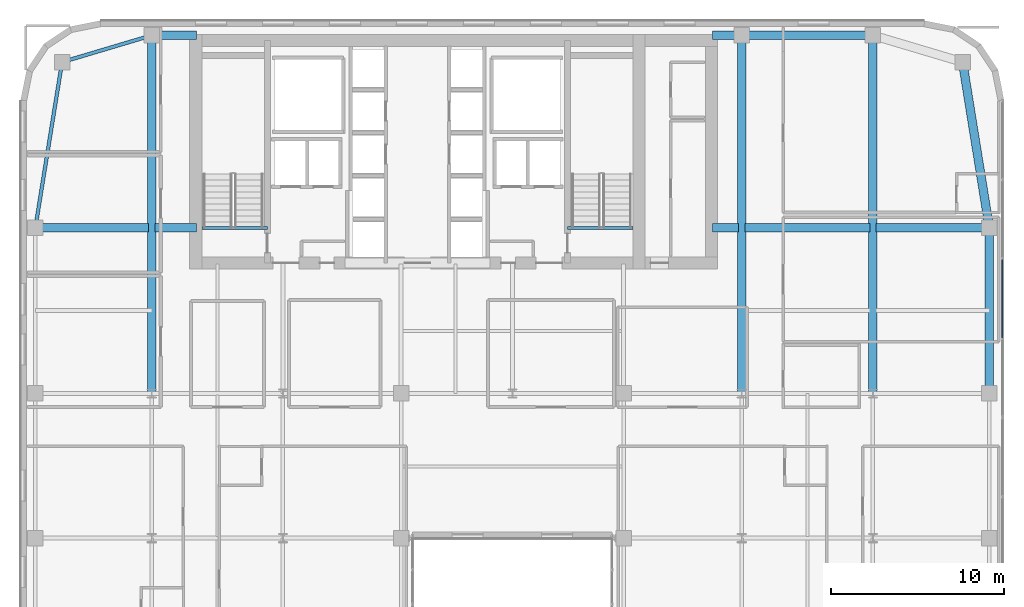
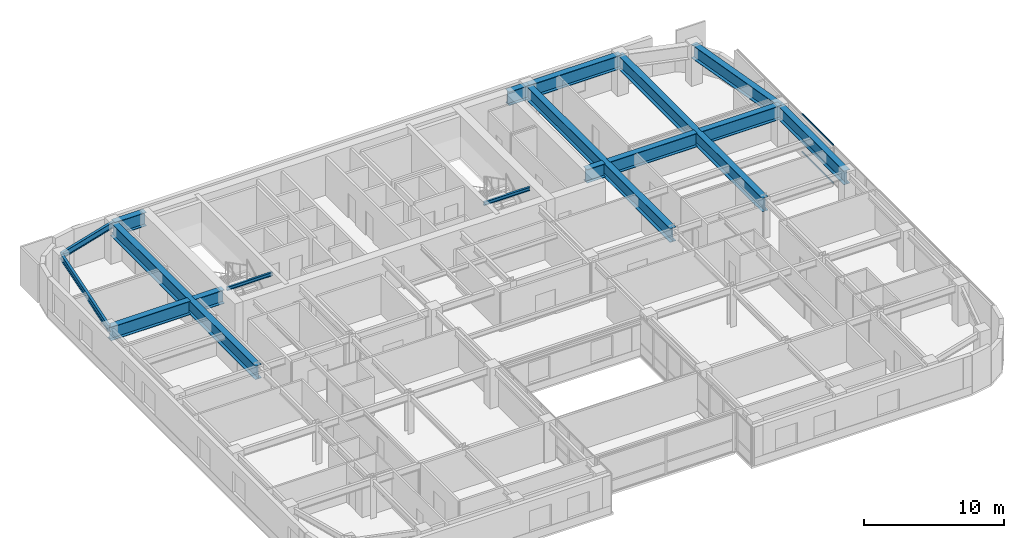
# One storey, part 16 of 31: 17 beams, 3 members, 1 element without a shape of its own.
"""IFC4 building model written with IfcOpenShell, lengths in metres."""

from ifc_helpers import new_model, si_unit, direction, frame, origin, origin_2d, place, context, subcontext, project, spatial, hollow_rectangle, i_section, extrude, source, transform, mapped, material, layer, layer_set, material_profile, profile_set, type_object, type_shapes, element, aggregate, save


model = new_model("IFC4")

# Units and contexts
model_context = context("Model", 3, precision=1e-05, world=origin(), true_north=direction((0.0, 1.0)))
body_context = subcontext(model_context, "Body", "Model", "MODEL_VIEW")
ifc_project = project(units=[si_unit("LENGTHUNIT", "METRE"), si_unit("AREAUNIT", "SQUARE_METRE"), si_unit("VOLUMEUNIT", "CUBIC_METRE"), si_unit("PLANEANGLEUNIT", "RADIAN"), si_unit("MASSUNIT", "GRAM", prefix="KILO")], contexts=[model_context])

# Site, building, storey
site_placement = place(None, origin())
site = spatial("IfcSite", under=ifc_project, at=site_placement, CompositionType="ELEMENT")
building_placement = place(site_placement, origin())
building = spatial("IfcBuilding", under=site, at=building_placement, Name="Tolvann Quenvar Hotel", CompositionType="ELEMENT")
storey_placement = place(building_placement, frame((0.0, 0.0, 125.75)))
storey = spatial("IfcBuildingStorey", under=building, at=storey_placement, Name="L32", CompositionType="ELEMENT", Elevation=125.75)

# Beams
ifc_material_1 = material(Name="Steel Grade 350", Category="steel")
ifc_material_profile_1 = material_profile(ifc_material_1, i_section(OverallWidth=0.5, OverallDepth=1.199951171875, WebThickness=0.01611328125, FlangeThickness=0.0400390625, at=origin_2d()), Name="1200WB455")
ifc_profile_set_1 = profile_set([ifc_material_profile_1], Name="Steel Grade 350")
beam_type_1 = type_object("IfcBeamType", Name="BM_TG_1200WB455", PredefinedType="USERDEFINED", material=ifc_profile_set_1)
shared_shape_1 = source(origin(), body_context, "Body", "SweptSolid", [
    extrude(i_section(OverallWidth=0.5, OverallDepth=1.199951171875, WebThickness=0.01611328125, FlangeThickness=0.0400390625, at=origin_2d()), origin(), (0.0, 0.0, 1.0), 7.599853515625),
])
beam_1_placement = place(storey_placement, frame((49.39990234375, 45.14990234375, 2.77001953125), z_axis=(-1.0, 0.0, 0.0), x_axis=(0.0, -1.0, 0.0)))
element("IfcBeam", 1, at=beam_1_placement, inside=storey, type_object=beam_type_1, Name="BM-L32-FLK-E4", ObjectType="TRANSFER GIRDER", PredefinedType="USERDEFINED", context=body_context, shape_type="MappedRepresentation", body=[
    mapped(shared_shape_1, transform((0.0, 0.0, 0.0), x_axis=(1.0, 0.0, 0.0), y_axis=(0.0, 1.0, 0.0), z_axis=(0.0, 0.0, 1.0), scale=1.0)),
])
shared_shape_2 = source(origin(), body_context, "Body", "SweptSolid", [
    extrude(i_section(OverallWidth=0.5, OverallDepth=1.199951171875, WebThickness=0.01611328125, FlangeThickness=0.0400390625, at=origin_2d()), origin(), (0.0, 0.0, 1.0), 9.60009765625),
])
beam_2_placement = place(storey_placement, frame((56.14990234375, 24.39990234375, 2.77001953125), z_axis=(0.0, 1.0, 0.0), x_axis=(-1.0, 0.0, 0.0)))
element("IfcBeam", 2, at=beam_2_placement, inside=storey, type_object=beam_type_1, Name="BM-L32-FLK-E1", ObjectType="TRANSFER GIRDER", PredefinedType="USERDEFINED", context=body_context, shape_type="MappedRepresentation", body=[
    mapped(shared_shape_2, transform((0.0, 0.0, 0.0), x_axis=(1.0, 0.0, 0.0), y_axis=(0.0, 1.0, 0.0), z_axis=(0.0, 0.0, 1.0), scale=1.0)),
])
ifc_material_profile_2 = material_profile(ifc_material_1, i_section(OverallWidth=0.208984375, OverallDepth=0.528076171875, WebThickness=0.009521484375, FlangeThickness=0.01318359375, FilletRadius=0.013916015625, at=origin_2d()), Name="530UB82")
ifc_profile_set_2 = profile_set([ifc_material_profile_2], Name="Steel Grade 350")
beam_type_2 = type_object("IfcBeamType", Name="BM_SPAND_530UB82", PredefinedType="SPANDREL", material=ifc_profile_set_2)
shared_shape_3 = source(origin(), body_context, "Body", "SweptSolid", [
    extrude(i_section(OverallWidth=0.208984375, OverallDepth=0.528076171875, WebThickness=0.009521484375, FlangeThickness=0.01318359375, FilletRadius=0.013916015625, at=origin_2d()), origin(), (0.0, 0.0, 1.0), 5.42626953125),
])
beam_3_placement = place(storey_placement, frame((2.39990234375, 43.60009765625, 3.10595703125), z_axis=(0.958344815522, 0.285613750654, 0.0), x_axis=(-0.285613750654, 0.958344815522, 0.0)))
element("IfcBeam", 3, at=beam_3_placement, inside=storey, type_object=beam_type_2, Name="BM-L32-FLK-W3", PredefinedType="SPANDREL", context=body_context, shape_type="MappedRepresentation", body=[
    mapped(shared_shape_3, transform((0.0, 0.0, 0.0), x_axis=(1.0, 0.0, 0.0), y_axis=(0.0, 1.0, 0.0), z_axis=(0.0, 0.0, 1.0), scale=1.0)),
])
shared_shape_4 = source(origin(), body_context, "Body", "SweptSolid", [
    extrude(i_section(OverallWidth=0.208984375, OverallDepth=0.528076171875, WebThickness=0.009521484375, FlangeThickness=0.01318359375, FilletRadius=0.013916015625, at=origin_2d()), origin(), (0.0, 0.0, 1.0), 9.724365234375),
])
type_shapes(beam_type_2, [shared_shape_3, shared_shape_4])
beam_4_placement = place(storey_placement, frame((0.85009765625, 34.0, 3.10595703125), z_axis=(0.159372939192, 0.987218449105, 0.0), x_axis=(-0.987218449105, 0.159372939192, 0.0)))
element("IfcBeam", 4, at=beam_4_placement, inside=storey, type_object=beam_type_2, Name="BM-L32-FLK-W2", PredefinedType="SPANDREL", context=body_context, shape_type="MappedRepresentation", body=[
    mapped(shared_shape_4, transform((0.0, 0.0, 0.0), x_axis=(1.0, 0.0, 0.0), y_axis=(0.0, 1.0, 0.0), z_axis=(0.0, 0.0, 1.0), scale=1.0)),
])
shared_shape_5 = source(origin(), body_context, "Body", "SweptSolid", [
    extrude(i_section(OverallWidth=0.5, OverallDepth=1.199951171875, WebThickness=0.01611328125, FlangeThickness=0.0400390625, at=origin_2d()), origin(), (0.0, 0.0, 1.0), 20.75),
])
for number, where, z_axis, x_axis, name in (
    (5, (7.60009765625, 24.39990234375, 2.77001953125), (0.0, 1.0, 0.0), (-1.0, 0.0, 0.0), "BM-L32-FLK-WC"),
    (6, (41.800048828125, 24.39990234375, 2.77001953125), (0.0, 1.0, 0.0), (-1.0, 0.0, 0.0), "BM-L32-FLK-EH"),
    (7, (49.39990234375, 24.39990234375, 2.77001953125), (0.0, 1.0, 0.0), (-1.0, 0.0, 0.0), "BM-L32-FLK-EI"),
):
    element("IfcBeam", number, at=place(storey_placement, frame(where, z_axis=z_axis, x_axis=x_axis)), inside=storey, type_object=beam_type_1, Name=name, ObjectType="TRANSFER GIRDER", PredefinedType="USERDEFINED", context=body_context, shape_type="MappedRepresentation", body=[
        mapped(shared_shape_5, transform((0.0, 0.0, 0.0), x_axis=(1.0, 0.0, 0.0), y_axis=(0.0, 1.0, 0.0), z_axis=(0.0, 0.0, 1.0), scale=1.0)),
    ])
shared_shape_6 = source(origin(), body_context, "Body", "SweptSolid", [
    extrude(i_section(OverallWidth=0.5, OverallDepth=1.199951171875, WebThickness=0.01611328125, FlangeThickness=0.0400390625, at=origin_2d()), origin(), (0.0, 0.0, 1.0), 6.56982421875),
])
for number, where, z_axis, x_axis, name in (
    (8, (0.85009765625, 34.0, 2.77001953125), (1.0, 0.0, 0.0), (0.0, 1.0, 0.0), "BM-L32-CTW-MID1"),
    (9, (49.580078125, 34.0, 2.77001953125), (1.0, 0.0, 0.0), (0.0, 1.0, 0.0), "BM-L32-CTE-JD6C"),
):
    element("IfcBeam", number, at=place(storey_placement, frame(where, z_axis=z_axis, x_axis=x_axis)), inside=storey, type_object=beam_type_1, Name=name, ObjectType="TRANSFER GIRDER", PredefinedType="USERDEFINED", context=body_context, shape_type="MappedRepresentation", body=[
        mapped(shared_shape_6, transform((0.0, 0.0, 0.0), x_axis=(1.0, 0.0, 0.0), y_axis=(0.0, 1.0, 0.0), z_axis=(0.0, 0.0, 1.0), scale=1.0)),
    ])
shared_shape_7 = source(origin(), body_context, "Body", "SweptSolid", [
    extrude(i_section(OverallWidth=0.5, OverallDepth=1.199951171875, WebThickness=0.01611328125, FlangeThickness=0.0400390625, at=origin_2d()), origin(), (0.0, 0.0, 1.0), 2.419921875),
])
beam_5_placement = place(storey_placement, frame((7.780029296875, 34.0, 2.77001953125), z_axis=(1.0, 0.0, 0.0), x_axis=(0.0, 1.0, 0.0)))
element("IfcBeam", 10, at=beam_5_placement, inside=storey, type_object=beam_type_1, Name="BM-L32-CTW-MID2", ObjectType="TRANSFER GIRDER", PredefinedType="USERDEFINED", context=body_context, shape_type="MappedRepresentation", body=[
    mapped(shared_shape_7, transform((0.0, 0.0, 0.0), x_axis=(1.0, 0.0, 0.0), y_axis=(0.0, 1.0, 0.0), z_axis=(0.0, 0.0, 1.0), scale=1.0)),
])
shared_shape_8 = source(origin(), body_context, "Body", "SweptSolid", [
    extrude(i_section(OverallWidth=0.5, OverallDepth=1.199951171875, WebThickness=0.01611328125, FlangeThickness=0.0400390625, at=origin_2d()), origin(), (0.0, 0.0, 1.0), 2.599853515625),
])
beam_6_placement = place(storey_placement, frame((7.60009765625, 45.14990234375, 2.77001953125), z_axis=(1.0, 0.0, 0.0), x_axis=(0.0, 1.0, 0.0)))
element("IfcBeam", 11, at=beam_6_placement, inside=storey, type_object=beam_type_1, Name="BM-L32-CTW-CN", ObjectType="TRANSFER GIRDER", PredefinedType="USERDEFINED", context=body_context, shape_type="MappedRepresentation", body=[
    mapped(shared_shape_8, transform((0.0, 0.0, 0.0), x_axis=(1.0, 0.0, 0.0), y_axis=(0.0, 1.0, 0.0), z_axis=(0.0, 0.0, 1.0), scale=1.0)),
])
shared_shape_9 = source(origin(), body_context, "Body", "SweptSolid", [
    extrude(i_section(OverallWidth=0.5, OverallDepth=1.199951171875, WebThickness=0.01611328125, FlangeThickness=0.0400390625, at=origin_2d()), origin(), (0.0, 0.0, 1.0), 9.724365234375),
])
beam_7_placement = place(storey_placement, frame((56.14990234375, 34.0, 2.77001953125), z_axis=(-0.159372939192, 0.987218449105, 0.0), x_axis=(-0.987218449105, -0.159372939192, 0.0)))
element("IfcBeam", 12, at=beam_7_placement, inside=storey, type_object=beam_type_1, Name="BM-L32-FLK-E2", ObjectType="TRANSFER GIRDER", PredefinedType="USERDEFINED", context=body_context, shape_type="MappedRepresentation", body=[
    mapped(shared_shape_9, transform((0.0, 0.0, 0.0), x_axis=(1.0, 0.0, 0.0), y_axis=(0.0, 1.0, 0.0), z_axis=(0.0, 0.0, 1.0), scale=1.0)),
])
shared_shape_10 = source(origin(), body_context, "Body", "SweptSolid", [
    extrude(i_section(OverallWidth=0.5, OverallDepth=1.199951171875, WebThickness=0.01611328125, FlangeThickness=0.0400390625, at=origin_2d()), origin(), (0.0, 0.0, 1.0), 1.699951171875),
])
beam_8_placement = place(storey_placement, frame((40.10009765625, 45.14990234375, 2.77001953125), z_axis=(1.0, 0.0, 0.0), x_axis=(0.0, 1.0, 0.0)))
element("IfcBeam", 13, at=beam_8_placement, inside=storey, type_object=beam_type_1, Name="BM-L32-CTE-HN", ObjectType="TRANSFER GIRDER", PredefinedType="USERDEFINED", context=body_context, shape_type="MappedRepresentation", body=[
    mapped(shared_shape_10, transform((0.0, 0.0, 0.0), x_axis=(1.0, 0.0, 0.0), y_axis=(0.0, 1.0, 0.0), z_axis=(0.0, 0.0, 1.0), scale=1.0)),
])
shared_shape_11 = source(origin(), body_context, "Body", "SweptSolid", [
    extrude(i_section(OverallWidth=0.5, OverallDepth=1.199951171875, WebThickness=0.01611328125, FlangeThickness=0.0400390625, at=origin_2d()), origin(), (0.0, 0.0, 1.0), 1.52001953125),
])
beam_9_placement = place(storey_placement, frame((40.10009765625, 34.0, 2.77001953125), z_axis=(1.0, 0.0, 0.0), x_axis=(0.0, 1.0, 0.0)))
element("IfcBeam", 14, at=beam_9_placement, inside=storey, type_object=beam_type_1, Name="BM-L32-CTE-JD6A", ObjectType="TRANSFER GIRDER", PredefinedType="USERDEFINED", context=body_context, shape_type="MappedRepresentation", body=[
    mapped(shared_shape_11, transform((0.0, 0.0, 0.0), x_axis=(1.0, 0.0, 0.0), y_axis=(0.0, 1.0, 0.0), z_axis=(0.0, 0.0, 1.0), scale=1.0)),
])
shared_shape_12 = source(origin(), body_context, "Body", "SweptSolid", [
    extrude(i_section(OverallWidth=0.5, OverallDepth=1.199951171875, WebThickness=0.01611328125, FlangeThickness=0.0400390625, at=origin_2d()), origin(), (0.0, 0.0, 1.0), 7.239990234375),
])
type_shapes(beam_type_1, [shared_shape_1, shared_shape_2, shared_shape_5, shared_shape_6, shared_shape_7, shared_shape_8, shared_shape_9, shared_shape_10, shared_shape_11, shared_shape_12])
beam_10_placement = place(storey_placement, frame((41.97998046875, 34.0, 2.77001953125), z_axis=(1.0, 0.0, 0.0), x_axis=(0.0, 1.0, 0.0)))
element("IfcBeam", 15, at=beam_10_placement, inside=storey, type_object=beam_type_1, Name="BM-L32-CTE-JD6B", ObjectType="TRANSFER GIRDER", PredefinedType="USERDEFINED", context=body_context, shape_type="MappedRepresentation", body=[
    mapped(shared_shape_12, transform((0.0, 0.0, 0.0), x_axis=(1.0, 0.0, 0.0), y_axis=(0.0, 1.0, 0.0), z_axis=(0.0, 0.0, 1.0), scale=1.0)),
])
ifc_material_profile_3 = material_profile(ifc_material_1, i_section(OverallWidth=0.166015625, OverallDepth=0.306884765625, WebThickness=0.006591796875, FlangeThickness=0.01171875, FilletRadius=0.011474609375, at=origin_2d()), Name="310UB46")
ifc_profile_set_3 = profile_set([ifc_material_profile_3], Name="Steel Grade 350")
beam_type_3 = type_object("IfcBeamType", Name="BM_JOIST_310UB46", PredefinedType="JOIST", material=ifc_profile_set_3)
shared_shape_13 = source(origin(), body_context, "Body", "SweptSolid", [
    extrude(i_section(OverallWidth=0.166015625, OverallDepth=0.306884765625, WebThickness=0.006591796875, FlangeThickness=0.01171875, FilletRadius=0.011474609375, at=origin_2d()), origin(), (0.0, 0.0, 1.0), 3.800048828125),
])
type_shapes(beam_type_3, [shared_shape_13])
for number, where, z_axis, x_axis, name in (
    (16, (10.5, 33.97998046875, 3.216552734375), (1.0, 0.0, 0.0), (0.0, 1.0, 0.0), "BM-HDR-STC1-L33"),
    (17, (31.699951171875, 33.97998046875, 3.216552734375), (1.0, 0.0, 0.0), (0.0, 1.0, 0.0), "BM-HDR-STC2-L33"),
):
    element("IfcBeam", number, at=place(storey_placement, frame(where, z_axis=z_axis, x_axis=x_axis)), inside=storey, type_object=beam_type_3, Name=name, PredefinedType="JOIST", context=body_context, shape_type="MappedRepresentation", body=[
        mapped(shared_shape_13, transform((0.0, 0.0, 0.0), x_axis=(1.0, 0.0, 0.0), y_axis=(0.0, 1.0, 0.0), z_axis=(0.0, 0.0, 1.0), scale=1.0)),
    ])

# Curtain wall, members
ifc_material_2 = material(Name="Thermally broken anodised architectural aluminium 6063-T6 and laminated low-E glass", Category="aluminium")
ifc_layer = layer(ifc_material_2, 0.179931640625)
ifc_layer_set = layer_set([ifc_layer], Name="Thermally broken anodised architectural aluminium 6063-T6 and laminated low-E glass")
curtain_wall_type = type_object("IfcCurtainWallType", Name="CW_SYS_BAND_04", PredefinedType="USERDEFINED", material=ifc_layer_set)
curtain_wall_placement = place(storey_placement, origin())
curtain_wall = element("IfcCurtainWall", 18, at=curtain_wall_placement, inside=storey, type_object=curtain_wall_type, Name="Curtain Wall CW-BAND-04 (CWR-L32-E13)", ObjectType="UNITISED CURTAIN WALL", PredefinedType="USERDEFINED")
ifc_material_3 = material(Name="Anodised architectural aluminium 6063-T6 framing", Category="aluminium")
ifc_material_profile_4 = material_profile(ifc_material_3, hollow_rectangle(XDim=0.06005859375, YDim=0.1201171875, WallThickness=0.00341796875, at=origin_2d()), Name="120x60x3.5RHS")
ifc_profile_set_4 = profile_set([ifc_material_profile_4], Name="Anodised architectural aluminium 6063-T6 framing")
member_type = type_object("IfcMemberType", Name="CW_TRAN_120x60", PredefinedType="USERDEFINED", material=ifc_profile_set_4)
shared_shape_14 = source(origin(), body_context, "Body", "SweptSolid", [
    extrude(hollow_rectangle(XDim=0.06005859375, YDim=0.1201171875, WallThickness=0.00341796875, at=origin_2d()), origin(), (0.0, 0.0, 1.0), 4.52587890625),
])
type_shapes(member_type, [shared_shape_14])
member_1_placement = place(storey_placement, frame((56.909912109375, 27.630615234375, 0.030029296875), z_axis=(0.0, 1.0, 0.0), x_axis=(-1.0, 0.0, 0.0)))
member_1 = element("IfcMember", 19, at=member_1_placement, type_object=member_type, Name="CW-BAND-04 transom 6.1", ObjectType="TRANSOM", PredefinedType="USERDEFINED", context=body_context, shape_type="MappedRepresentation", body=[
    mapped(shared_shape_14, transform((0.0, 0.0, 0.0), x_axis=(1.0, 0.0, 0.0), y_axis=(0.0, 1.0, 0.0), z_axis=(0.0, 0.0, 1.0), scale=1.0)),
])
member_2_placement = place(storey_placement, frame((56.909912109375, 27.630615234375, 1.050048828125), z_axis=(0.0, 1.0, 0.0), x_axis=(-1.0, 0.0, 0.0)))
member_2 = element("IfcMember", 20, at=member_2_placement, type_object=member_type, Name="CW-BAND-04 transom 6.2", ObjectType="TRANSOM", PredefinedType="USERDEFINED", context=body_context, shape_type="MappedRepresentation", body=[
    mapped(shared_shape_14, transform((0.0, 0.0, 0.0), x_axis=(1.0, 0.0, 0.0), y_axis=(0.0, 1.0, 0.0), z_axis=(0.0, 0.0, 1.0), scale=1.0)),
])
member_3_placement = place(storey_placement, frame((56.909912109375, 27.630615234375, 3.340087890625), z_axis=(0.0, 1.0, 0.0), x_axis=(-1.0, 0.0, 0.0)))
member_3 = element("IfcMember", 21, at=member_3_placement, type_object=member_type, Name="CW-BAND-04 transom 6.3", ObjectType="TRANSOM", PredefinedType="USERDEFINED", context=body_context, shape_type="MappedRepresentation", body=[
    mapped(shared_shape_14, transform((0.0, 0.0, 0.0), x_axis=(1.0, 0.0, 0.0), y_axis=(0.0, 1.0, 0.0), z_axis=(0.0, 0.0, 1.0), scale=1.0)),
])
aggregate(curtain_wall, [member_1, member_2, member_3])

save(model, "model.ifc")
